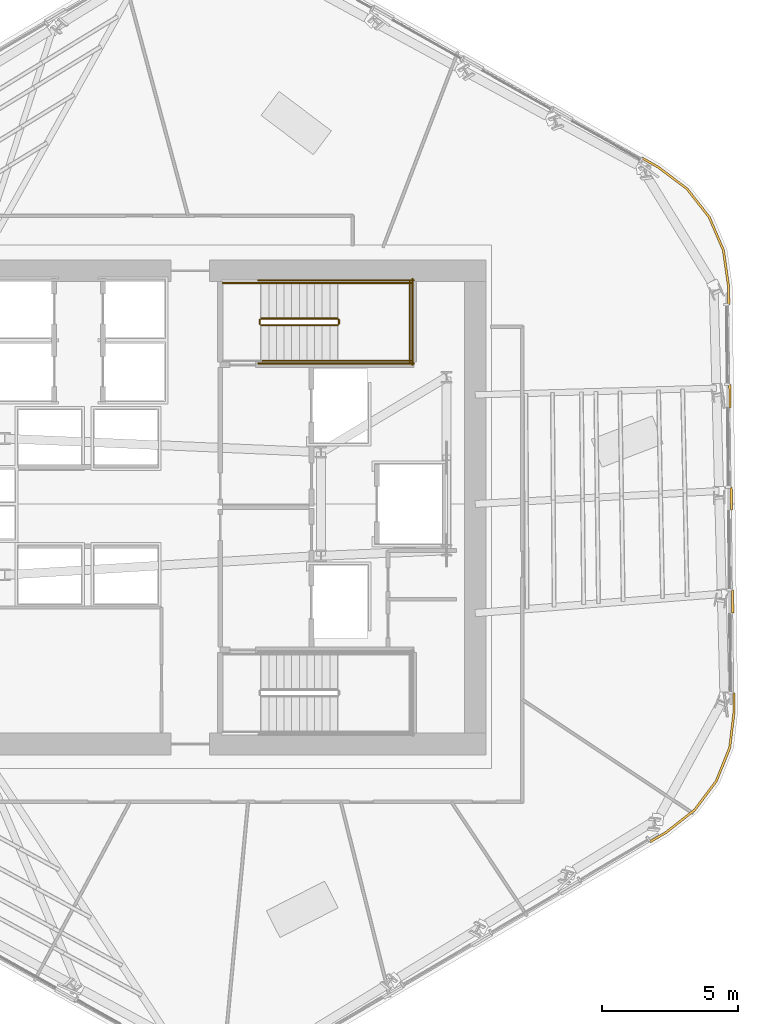
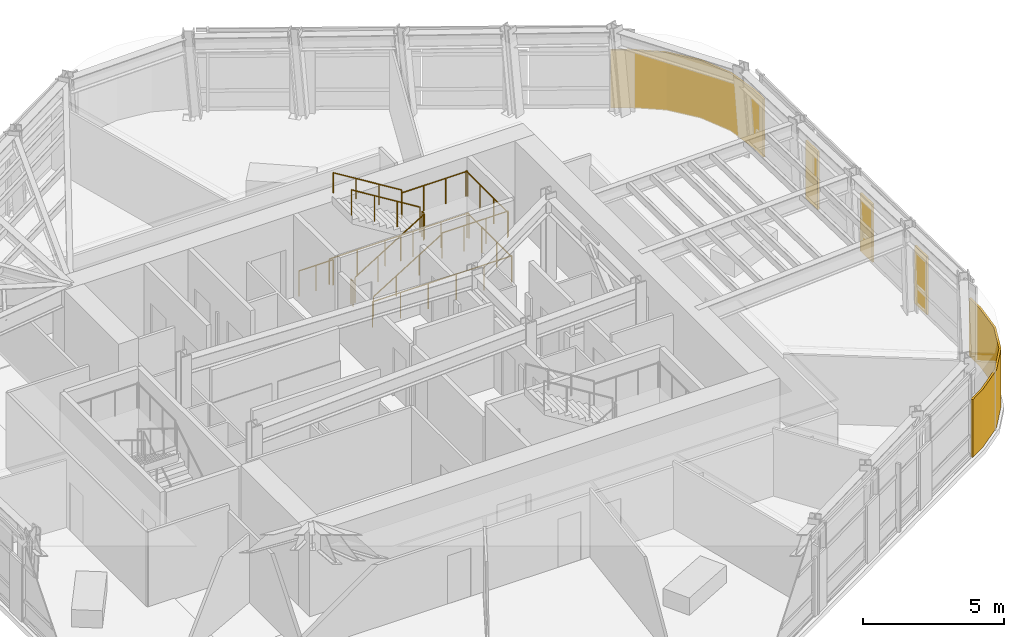
# One storey, part 14 of 16: 13 railings, 5 coverings.
"""IFC4 building model written with IfcOpenShell, lengths in metres."""

from ifc_helpers import new_model, si_unit, direction, frame, origin, origin_2d, place, context, subcontext, project, spatial, polyline, circle, outline, extrude, material, layer, layer_set, type_object, element, save


model = new_model("IFC4")

# Units and contexts
model_context = context("Model", 3, precision=1e-05, world=origin(), true_north=direction((0.0, 1.0)))
body_context = subcontext(model_context, "Body", "Model", "MODEL_VIEW")
ifc_project = project(units=[si_unit("LENGTHUNIT", "METRE"), si_unit("AREAUNIT", "SQUARE_METRE"), si_unit("VOLUMEUNIT", "CUBIC_METRE"), si_unit("PLANEANGLEUNIT", "RADIAN"), si_unit("MASSUNIT", "GRAM", prefix="KILO")], contexts=[model_context])

# Site, building, storey
site_placement = place(None, origin())
site = spatial("IfcSite", under=ifc_project, at=site_placement, CompositionType="ELEMENT")
building_placement = place(site_placement, origin())
building = spatial("IfcBuilding", under=site, at=building_placement, Name="Valkerne Bourse Tower", CompositionType="ELEMENT")
storey_placement = place(building_placement, frame((0.0, 0.0, 155.199951171875)))
storey = spatial("IfcBuildingStorey", under=building, at=storey_placement, Name="L39", CompositionType="ELEMENT", Elevation=155.199951171875)

# Coverings
ifc_material_1 = material(Name="Bronze Anodised Aluminium AA 6063-T6", Category="aluminium")
ifc_layer = layer(ifc_material_1, 0.06005859375)
ifc_layer_set = layer_set([ifc_layer], Name="Bronze Anodised Aluminium AA 6063-T6")
covering_type = type_object("IfcCoveringType", Name="COV-CRN-ALUM", PredefinedType="CLADDING", material=ifc_layer_set)
covering_1_placement = place(storey_placement, origin())
element("IfcCovering", 1, at=covering_1_placement, inside=storey, type_object=covering_type, Name="L39 Wind-Shaped Corner Aluminium Cladding 01", PredefinedType="CLADDING", context=body_context, shape_type="SweptSolid", body=[
    extrude(outline(polyline([(65.36669921875, 18.052978515625), (64.8701171875, 16.818115234375), (64.07080078125, 15.75341796875), (63.018310546875, 14.927978515625), (62.421142578125, 14.576904296875), (62.38037109375, 14.64599609375), (62.97314453125, 14.994384765625), (64.01318359375, 15.809814453125), (64.7998046875, 16.857666015625), (65.28857421875, 18.0732421875), (65.447509765625, 19.38525390625), (65.4384765625, 20.07275390625), (65.518310546875, 20.073486328125), (65.52734375, 19.381103515625), (65.36669921875, 18.052978515625)])), origin(), (0.0, 0.0, 1.0), 2.5),
])
covering_2_placement = place(storey_placement, origin())
element("IfcCovering", 2, at=covering_2_placement, inside=storey, type_object=covering_type, Name="L39 Wind-Shaped Corner Aluminium Cladding 21", PredefinedType="CLADDING", context=body_context, shape_type="SweptSolid", body=[
    extrude(outline(polyline([(62.7216796875, 39.38525390625), (63.79150390625, 38.581787109375), (64.61279296875, 37.534423828125), (65.135009765625, 36.31005859375), (65.323486328125, 34.985595703125), (65.332275390625, 34.31640625), (65.252197265625, 34.315673828125), (65.24365234375, 34.979248046875), (65.057373046875, 36.288330078125), (64.543212890625, 37.493408203125), (63.735107421875, 38.5244140625), (62.677734375, 39.318115234375), (62.10009765625, 39.6455078125), (62.139404296875, 39.715087890625), (62.7216796875, 39.38525390625)])), origin(), (0.0, 0.0, 1.0), 2.5),
])
covering_3_placement = place(storey_placement, origin())
element("IfcCovering", 3, at=covering_3_placement, inside=storey, type_object=covering_type, Name="L39 Wind-Shaped Corner Aluminium Cladding 22", PredefinedType="CLADDING", context=body_context, shape_type="SweptSolid", body=[
    extrude(outline(polyline([(65.381591796875, 30.5458984375), (65.301513671875, 30.544921875), (65.29052734375, 31.384765625), (65.37060546875, 31.3857421875), (65.381591796875, 30.5458984375)])), origin(), (0.0, 0.0, 1.0), 2.5),
])
covering_4_placement = place(storey_placement, origin())
element("IfcCovering", 4, at=covering_4_placement, inside=storey, type_object=covering_type, Name="L39 Wind-Shaped Corner Aluminium Cladding 23", PredefinedType="CLADDING", context=body_context, shape_type="SweptSolid", body=[
    extrude(outline(polyline([(65.430908203125, 26.775146484375), (65.350830078125, 26.7744140625), (65.33984375, 27.6142578125), (65.419921875, 27.614990234375), (65.430908203125, 26.775146484375)])), origin(), (0.0, 0.0, 1.0), 2.5),
])
covering_5_placement = place(storey_placement, origin())
element("IfcCovering", 5, at=covering_5_placement, inside=storey, type_object=covering_type, Name="L39 Wind-Shaped Corner Aluminium Cladding 24", PredefinedType="CLADDING", context=body_context, shape_type="SweptSolid", body=[
    extrude(outline(polyline([(65.47998046875, 23.00439453125), (65.400146484375, 23.003662109375), (65.38916015625, 23.843505859375), (65.468994140625, 23.84423828125), (65.47998046875, 23.00439453125)])), origin(), (0.0, 0.0, 1.0), 2.5),
])

# Railings
ifc_material_2 = material(Name="Galvanised Painted Steel", Category="steel")
railing_type_1 = type_object("IfcRailingType", Name="RLG-ST-GUARD-1120", PredefinedType="GUARDRAIL", material=ifc_material_2)
railing_1_placement = place(storey_placement, frame((48.14990234375, 33.550048828125, 0.1728515625)))
element("IfcRailing", 6, at=railing_1_placement, inside=storey, type_object=railing_type_1, Name="L39 ST-2 stair guard 1", PredefinedType="GUARDRAIL", context=body_context, shape_type="SweptSolid", body=[
    extrude(circle(Radius=0.02392578125, at=origin_2d()), frame((0.0, 0.0, 1.09619140625), z_axis=(0.851089632645, 0.0, 0.525020415988), x_axis=(0.0, 1.0, 0.0)), (0.0, 0.0, 1.0), 3.2900390625),
    extrude(circle(Radius=0.02099609375, at=origin_2d()), origin(), (0.0, 0.0, 1.0), 1.072021484375),
    extrude(circle(Radius=0.02099609375, at=origin_2d()), frame((0.933349609375, 0.0, 0.57568359375)), (0.0, 0.0, 1.0), 1.072021484375),
    extrude(circle(Radius=0.02099609375, at=origin_2d()), frame((1.86669921875, 0.0, 1.151611328125)), (0.0, 0.0, 1.0), 1.072021484375),
    extrude(circle(Radius=0.02099609375, at=origin_2d()), frame((2.800048828125, 0.0, 1.727294921875)), (0.0, 0.0, 1.0), 1.072021484375),
])
railing_2_placement = place(storey_placement, frame((51.0, 33.60009765625, 1.900146484375)))
element("IfcRailing", 7, at=railing_2_placement, inside=storey, type_object=railing_type_1, Name="L39 ST-2 stair guard 2", PredefinedType="GUARDRAIL", context=body_context, shape_type="SweptSolid", body=[
    extrude(circle(Radius=0.02392578125, at=origin_2d()), frame((0.0, 0.0, 1.09619140625), z_axis=(0.0, 1.0, 0.0), x_axis=(-1.0, 0.0, 0.0)), (0.0, 0.0, 1.0), 0.14990234375),
    extrude(circle(Radius=0.02099609375, at=origin_2d()), origin(), (0.0, 0.0, 1.0), 1.072021484375),
    extrude(circle(Radius=0.02099609375, at=origin_2d()), frame((0.0, 0.14990234375, 0.0)), (0.0, 0.0, 1.0), 1.072021484375),
])
for number, where, name in (
    (8, (50.949951171875, 32.25, 1.900146484375), "L39 ST-2 stair guard 3"),
    (9, (50.949951171875, 35.10009765625, 1.900146484375), "L39 ST-2 stair guard 4"),
):
    element("IfcRailing", number, at=place(storey_placement, frame(where)), inside=storey, type_object=railing_type_1, Name=name, PredefinedType="GUARDRAIL", context=body_context, shape_type="SweptSolid", body=[
        extrude(circle(Radius=0.02392578125, at=origin_2d()), frame((0.0, 0.0, 1.09619140625), z_axis=(1.0, 0.0, 0.0), x_axis=(0.0, 1.0, 0.0)), (0.0, 0.0, 1.0), 2.699951171875),
        extrude(circle(Radius=0.02099609375, at=origin_2d()), origin(), (0.0, 0.0, 1.0), 1.072021484375),
        extrude(circle(Radius=0.02099609375, at=origin_2d()), frame((0.89990234375, 0.0, 0.0)), (0.0, 0.0, 1.0), 1.072021484375),
        extrude(circle(Radius=0.02099609375, at=origin_2d()), frame((1.800048828125, 0.0, 0.0)), (0.0, 0.0, 1.0), 1.072021484375),
        extrude(circle(Radius=0.02099609375, at=origin_2d()), frame((2.699951171875, 0.0, 0.0)), (0.0, 0.0, 1.0), 1.072021484375),
    ])
railing_3_placement = place(storey_placement, frame((53.60009765625, 32.199951171875, 1.900146484375)))
element("IfcRailing", 10, at=railing_3_placement, inside=storey, type_object=railing_type_1, Name="L39 ST-2 stair guard 5", PredefinedType="GUARDRAIL", context=body_context, shape_type="SweptSolid", body=[
    extrude(circle(Radius=0.02392578125, at=origin_2d()), frame((0.0, 0.0, 1.09619140625), z_axis=(0.0, 1.0, 0.0), x_axis=(-1.0, 0.0, 0.0)), (0.0, 0.0, 1.0), 2.949951171875),
    extrude(circle(Radius=0.02099609375, at=origin_2d()), origin(), (0.0, 0.0, 1.0), 1.072021484375),
    extrude(circle(Radius=0.02099609375, at=origin_2d()), frame((0.0, 0.9833984375, 0.0)), (0.0, 0.0, 1.0), 1.072021484375),
    extrude(circle(Radius=0.02099609375, at=origin_2d()), frame((0.0, 1.966552734375, 0.0)), (0.0, 0.0, 1.0), 1.072021484375),
    extrude(circle(Radius=0.02099609375, at=origin_2d()), frame((0.0, 2.949951171875, 0.0)), (0.0, 0.0, 1.0), 1.072021484375),
])
railing_4_placement = place(storey_placement, frame((50.949951171875, 33.800048828125, 2.07275390625)))
element("IfcRailing", 11, at=railing_4_placement, inside=storey, type_object=railing_type_1, Name="L39 ST-2 stair guard 6", PredefinedType="GUARDRAIL", context=body_context, shape_type="SweptSolid", body=[
    extrude(circle(Radius=0.02392578125, at=origin_2d()), frame((0.0, 0.0, 1.09619140625), z_axis=(-0.851089632645, 0.0, 0.525020415988), x_axis=(0.0, -1.0, 0.0)), (0.0, 0.0, 1.0), 3.2900390625),
    extrude(circle(Radius=0.02099609375, at=origin_2d()), origin(), (0.0, 0.0, 1.0), 1.072021484375),
    extrude(circle(Radius=0.02099609375, at=origin_2d()), frame((-0.933349609375, 0.0, 0.57568359375)), (0.0, 0.0, 1.0), 1.072021484375),
    extrude(circle(Radius=0.02099609375, at=origin_2d()), frame((-1.86669921875, 0.0, 1.151611328125)), (0.0, 0.0, 1.0), 1.072021484375),
    extrude(circle(Radius=0.02099609375, at=origin_2d()), frame((-2.800048828125, 0.0, 1.727294921875)), (0.0, 0.0, 1.0), 1.072021484375),
])
railing_5_placement = place(storey_placement, frame((48.10009765625, 33.60009765625, 0.0)))
element("IfcRailing", 12, at=railing_5_placement, inside=storey, type_object=railing_type_1, Name="L39 ST-2 stair guard 7", PredefinedType="GUARDRAIL", context=body_context, shape_type="SweptSolid", body=[
    extrude(circle(Radius=0.02392578125, at=origin_2d()), frame((0.0, 0.0, 1.09619140625), z_axis=(0.0, 1.0, 0.0), x_axis=(-1.0, 0.0, 0.0)), (0.0, 0.0, 1.0), 0.14990234375),
    extrude(circle(Radius=0.02099609375, at=origin_2d()), origin(), (0.0, 0.0, 1.0), 1.072021484375),
    extrude(circle(Radius=0.02099609375, at=origin_2d()), frame((0.0, 0.14990234375, 0.0)), (0.0, 0.0, 1.0), 1.072021484375),
])
railing_6_placement = place(storey_placement, frame((46.75, 35.10009765625, 0.0)))
element("IfcRailing", 13, at=railing_6_placement, inside=storey, type_object=railing_type_1, Name="L39 ST-2 stair guard 9", PredefinedType="GUARDRAIL", context=body_context, shape_type="SweptSolid", body=[
    extrude(circle(Radius=0.02392578125, at=origin_2d()), frame((0.0, 0.0, 1.09619140625), z_axis=(1.0, 0.0, 0.0), x_axis=(0.0, 1.0, 0.0)), (0.0, 0.0, 1.0), 1.39990234375),
    extrude(circle(Radius=0.02099609375, at=origin_2d()), origin(), (0.0, 0.0, 1.0), 1.072021484375),
    extrude(circle(Radius=0.02099609375, at=origin_2d()), frame((0.699951171875, 0.0, 0.0)), (0.0, 0.0, 1.0), 1.072021484375),
    extrude(circle(Radius=0.02099609375, at=origin_2d()), frame((1.39990234375, 0.0, 0.0)), (0.0, 0.0, 1.0), 1.072021484375),
])
for number, where, name in (
    (14, (48.050048828125, 32.14990234375, 0.0), "L39 ST-2 stair guard 10"),
    (15, (48.050048828125, 35.199951171875, 0.0), "L39 ST-2 stair guard 11"),
):
    element("IfcRailing", number, at=place(storey_placement, frame(where)), inside=storey, type_object=railing_type_1, Name=name, PredefinedType="GUARDRAIL", context=body_context, shape_type="SweptSolid", body=[
        extrude(circle(Radius=0.02392578125, at=origin_2d()), frame((0.0, 0.0, 1.09619140625), z_axis=(1.0, 0.0, 0.0), x_axis=(0.0, 1.0, 0.0)), (0.0, 0.0, 1.0), 5.699951171875),
        extrude(circle(Radius=0.02099609375, at=origin_2d()), origin(), (0.0, 0.0, 1.0), 1.072021484375),
        extrude(circle(Radius=0.02099609375, at=origin_2d()), frame((1.139892578125, 0.0, 0.0)), (0.0, 0.0, 1.0), 1.072021484375),
        extrude(circle(Radius=0.02099609375, at=origin_2d()), frame((2.280029296875, 0.0, 0.0)), (0.0, 0.0, 1.0), 1.072021484375),
        extrude(circle(Radius=0.02099609375, at=origin_2d()), frame((3.419921875, 0.0, 0.0)), (0.0, 0.0, 1.0), 1.072021484375),
        extrude(circle(Radius=0.02099609375, at=origin_2d()), frame((4.56005859375, 0.0, 0.0)), (0.0, 0.0, 1.0), 1.072021484375),
        extrude(circle(Radius=0.02099609375, at=origin_2d()), frame((5.699951171875, 0.0, 0.0)), (0.0, 0.0, 1.0), 1.072021484375),
    ])
railing_7_placement = place(storey_placement, frame((53.699951171875, 32.10009765625, 0.0)))
element("IfcRailing", 16, at=railing_7_placement, inside=storey, type_object=railing_type_1, Name="L39 ST-2 stair guard 12", PredefinedType="GUARDRAIL", context=body_context, shape_type="SweptSolid", body=[
    extrude(circle(Radius=0.02392578125, at=origin_2d()), frame((0.0, 0.0, 1.09619140625), z_axis=(0.0, 1.0, 0.0), x_axis=(-1.0, 0.0, 0.0)), (0.0, 0.0, 1.0), 3.14990234375),
    extrude(circle(Radius=0.02099609375, at=origin_2d()), origin(), (0.0, 0.0, 1.0), 1.072021484375),
    extrude(circle(Radius=0.02099609375, at=origin_2d()), frame((0.0, 1.050048828125, 0.0)), (0.0, 0.0, 1.0), 1.072021484375),
    extrude(circle(Radius=0.02099609375, at=origin_2d()), frame((0.0, 2.099853515625, 0.0)), (0.0, 0.0, 1.0), 1.072021484375),
    extrude(circle(Radius=0.02099609375, at=origin_2d()), frame((0.0, 3.14990234375, 0.0)), (0.0, 0.0, 1.0), 1.072021484375),
])
ifc_material_3 = material(Name="Stainless Steel AISI 316", Category="steel")
railing_type_2 = type_object("IfcRailingType", Name="RLG-ST-HANDRAIL-900", PredefinedType="HANDRAIL", material=ifc_material_3)
railing_8_placement = place(storey_placement, frame((48.14990234375, 32.25, 0.345458984375)))
element("IfcRailing", 17, at=railing_8_placement, inside=storey, type_object=railing_type_2, Name="L39 ST-2 stair handrail 1", PredefinedType="HANDRAIL", context=body_context, shape_type="SweptSolid", body=[
    extrude(circle(Radius=0.02392578125, at=origin_2d()), frame((0.0, 0.0, 0.8759765625), z_axis=(0.851089632645, 0.0, 0.525020415988), x_axis=(0.0, 1.0, 0.0)), (0.0, 0.0, 1.0), 3.2900390625),
    extrude(circle(Radius=0.02099609375, at=origin_2d()), origin(), (0.0, 0.0, 1.0), 0.851806640625),
    extrude(circle(Radius=0.02099609375, at=origin_2d()), frame((0.933349609375, 0.0, 0.57568359375)), (0.0, 0.0, 1.0), 0.851806640625),
    extrude(circle(Radius=0.02099609375, at=origin_2d()), frame((1.86669921875, 0.0, 1.151611328125)), (0.0, 0.0, 1.0), 0.851806640625),
    extrude(circle(Radius=0.02099609375, at=origin_2d()), frame((2.800048828125, 0.0, 1.727294921875)), (0.0, 0.0, 1.0), 0.851806640625),
])
railing_9_placement = place(storey_placement, frame((50.949951171875, 35.10009765625, 2.24560546875)))
element("IfcRailing", 18, at=railing_9_placement, inside=storey, type_object=railing_type_2, Name="L39 ST-2 stair handrail 2", PredefinedType="HANDRAIL", context=body_context, shape_type="SweptSolid", body=[
    extrude(circle(Radius=0.02392578125, at=origin_2d()), frame((0.0, 0.0, 0.8759765625), z_axis=(-0.851122791225, 0.0, 0.524966660138), x_axis=(0.0, -1.0, 0.0)), (0.0, 0.0, 1.0), 3.289794921875),
    extrude(circle(Radius=0.02099609375, at=origin_2d()), origin(), (0.0, 0.0, 1.0), 0.851806640625),
    extrude(circle(Radius=0.02099609375, at=origin_2d()), frame((-0.933349609375, 0.0, 0.57568359375)), (0.0, 0.0, 1.0), 0.851806640625),
    extrude(circle(Radius=0.02099609375, at=origin_2d()), frame((-1.86669921875, 0.0, 1.1513671875)), (0.0, 0.0, 1.0), 0.851806640625),
    extrude(circle(Radius=0.02099609375, at=origin_2d()), frame((-2.800048828125, 0.0, 1.72705078125)), (0.0, 0.0, 1.0), 0.851806640625),
])

save(model, "model.ifc")
